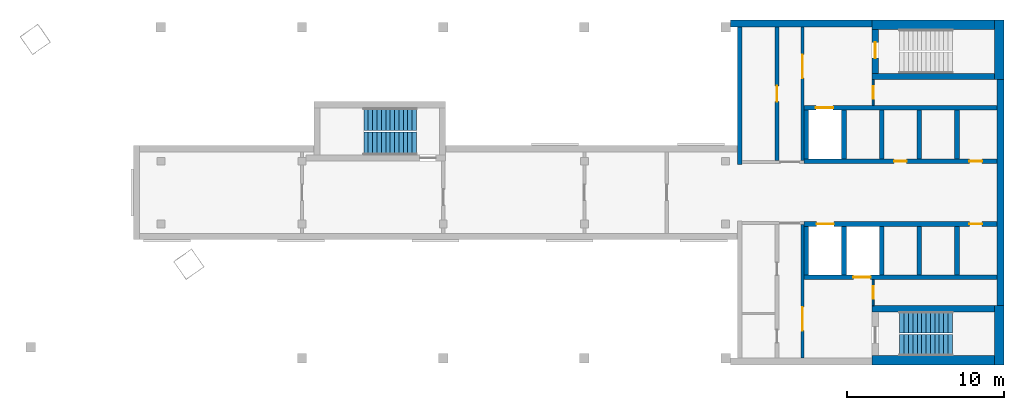
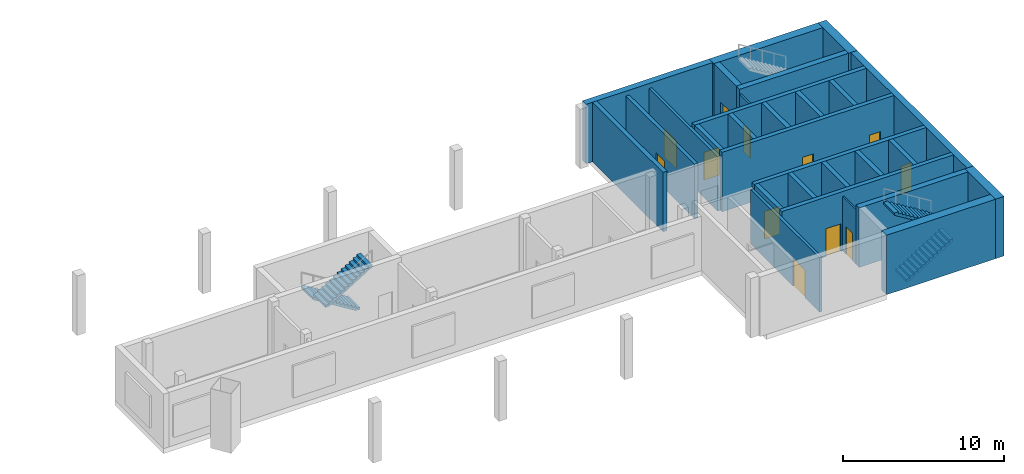
# One storey, part 2 of 4: 29 walls, 12 doors, 4 stair flights, 12 openings, 2 elements without a shape of their own.
"""IFC4 building model written with IfcOpenShell, lengths in metres."""

from ifc_helpers import new_model, si_unit, direction, frame, frame_2d, origin, place, context, subcontext, project, spatial, polyline, rectangle, outline, extrude, material, layer, layer_set, type_object, element, fill, aggregate, save


model = new_model("IFC4")

# Units and contexts
model_context = context("Model", 3, precision=1e-05, world=origin(), true_north=direction((0.0, 1.0)))
body_context = subcontext(model_context, "Body", "Model", "MODEL_VIEW")
ifc_project = project(units=[si_unit("LENGTHUNIT", "METRE"), si_unit("AREAUNIT", "SQUARE_METRE"), si_unit("VOLUMEUNIT", "CUBIC_METRE"), si_unit("PLANEANGLEUNIT", "RADIAN"), si_unit("MASSUNIT", "GRAM", prefix="KILO")], contexts=[model_context])

# Site, building, storey
site_placement = place(None, origin())
site = spatial("IfcSite", under=ifc_project, at=site_placement, CompositionType="ELEMENT")
building_placement = place(site_placement, origin())
building = spatial("IfcBuilding", under=site, at=building_placement, Name="Skarvind Civic Tower", CompositionType="ELEMENT")
storey_placement = place(building_placement, frame((0.0, 0.0, 286.5)))
storey = spatial("IfcBuildingStorey", under=building, at=storey_placement, Name="L68", CompositionType="ELEMENT", Elevation=286.5)

# Wall, opening, door
ifc_material_1 = material(Name="Fire-rated masonry partition", Category="masonry")
ifc_layer_1 = layer(ifc_material_1, 0.199951171875)
ifc_layer_set_1 = layer_set([ifc_layer_1], Name="Core enclosure wall 200")
wall_type_1 = type_object("IfcWallType", Name="Core enclosure wall 200", PredefinedType="PARTITIONING", material=ifc_layer_set_1)
wall_1_placement = place(storey_placement, frame((95.14990234375, 117.449951171875, 0.0), z_axis=(0.0, 0.0, 1.0), x_axis=(0.0, 1.0, 0.0)))
wall_1 = element("IfcWall", 1, at=wall_1_placement, inside=storey, type_object=wall_type_1, Name="Core wall C1", PredefinedType="PARTITIONING", context=body_context, shape_type="SweptSolid", body=[
    extrude(rectangle(XDim=8.5, YDim=0.199951171875, at=frame_2d((4.25, 0.0))), origin(), (0.0, 0.0, 1.0), 4.125),
])
opening_1_placement = place(wall_1_placement, frame((1.75, 0.0, 0.0)))
opening_1 = element("IfcOpeningElement", 2, at=opening_1_placement, cuts=wall_1, Name="Opening D-L68-C1-06", PredefinedType="OPENING", context=body_context, shape_type="SweptSolid", body=[
    extrude(rectangle(XDim=1.5, YDim=2.10009765625, at=frame_2d((0.75, 1.050048828125))), frame((0.0, 0.10986328125, 0.0), z_axis=(0.0, -1.0, 0.0), x_axis=(1.0, 0.0, 0.0)), (0.0, 0.0, 1.0), 0.219970703125),
])
ifc_material_2 = material(Name="Fire-rated steel door", Category="steel")
door_type_1 = type_object("IfcDoorType", Name="Fire door 1500", OperationType="NOTDEFINED", PredefinedType="DOOR", material=ifc_material_2)
door_1_placement = place(opening_1_placement, origin())
door_1 = element("IfcDoor", 3, at=door_1_placement, inside=storey, type_object=door_type_1, Name="Fire door", OperationType="DOUBLE_DOOR_SINGLE_SWING", OverallHeight=2.10009765625, OverallWidth=1.5, PredefinedType="DOOR", context=body_context, shape_type="SweptSolid", body=[
    extrude(rectangle(XDim=1.5, YDim=2.10009765625, at=frame_2d((0.75, 1.050048828125))), frame((0.0, 0.02490234375, 0.0), z_axis=(0.0, -1.0, 0.0), x_axis=(1.0, 0.0, 0.0)), (0.0, 0.0, 1.0), 0.050048828125),
])
fill(opening_1, door_1)

wall_2_placement = place(storey_placement, frame((95.14990234375, 130.050048828125, 0.0), z_axis=(0.0, 0.0, 1.0), x_axis=(0.0, 1.0, 0.0)))
wall_2 = element("IfcWall", 4, at=wall_2_placement, inside=storey, type_object=wall_type_1, Name="Core wall C1", PredefinedType="PARTITIONING", context=body_context, shape_type="SweptSolid", body=[
    extrude(rectangle(XDim=8.5, YDim=0.199951171875, at=frame_2d((4.25, 0.0))), origin(), (0.0, 0.0, 1.0), 4.125),
])
opening_2_placement = place(wall_2_placement, frame((5.25, 0.0, 0.0)))
opening_2 = element("IfcOpeningElement", 5, at=opening_2_placement, cuts=wall_2, Name="Opening D-L68-C1-12", PredefinedType="OPENING", context=body_context, shape_type="SweptSolid", body=[
    extrude(rectangle(XDim=1.5, YDim=2.10009765625, at=frame_2d((0.75, 1.050048828125))), frame((0.0, 0.10986328125, 0.0), z_axis=(0.0, -1.0, 0.0), x_axis=(1.0, 0.0, 0.0)), (0.0, 0.0, 1.0), 0.219970703125),
])
door_2_placement = place(opening_2_placement, origin())
door_2 = element("IfcDoor", 6, at=door_2_placement, inside=storey, type_object=door_type_1, Name="Fire door", OperationType="DOUBLE_DOOR_SINGLE_SWING", OverallHeight=2.10009765625, OverallWidth=1.5, PredefinedType="DOOR", context=body_context, shape_type="SweptSolid", body=[
    extrude(rectangle(XDim=1.5, YDim=2.10009765625, at=frame_2d((0.75, 1.050048828125))), frame((0.0, 0.02490234375, 0.0), z_axis=(0.0, -1.0, 0.0), x_axis=(1.0, 0.0, 0.0)), (0.0, 0.0, 1.0), 0.050048828125),
])
fill(opening_2, door_2)

# Wall, openings, doors
ifc_material_3 = material(Name="Concrete C60", Category="concrete")
ifc_layer_2 = layer(ifc_material_3, 0.300048828125)
ifc_layer_set_2 = layer_set([ifc_layer_2], Name="Core wall 300 C60")
wall_type_2 = type_object("IfcWallType", Name="Core wall 300 C60", PredefinedType="SHEAR", material=ifc_layer_set_2)
wall_3_placement = place(storey_placement, frame((107.550048828125, 130.0, 0.0), z_axis=(0.0, 0.0, 1.0), x_axis=(-1.0, 0.0, 0.0)))
wall_3 = element("IfcWall", 7, at=wall_3_placement, inside=storey, type_object=wall_type_2, Name="Core wall C1 south lift row front L68", PredefinedType="SHEAR", context=body_context, shape_type="SweptSolid", body=[
    extrude(rectangle(XDim=12.300048828125, YDim=0.300048828125, at=frame_2d((6.14990234375, 0.0))), origin(), (0.0, 0.0, 1.0), 4.5),
])
opening_3_placement = place(wall_3_placement, frame((0.949951171875, 0.0, 0.0)))
opening_3 = element("IfcOpeningElement", 8, at=opening_3_placement, cuts=wall_3, Name="Opening D-L68-C1-03", PredefinedType="OPENING", context=body_context, shape_type="SweptSolid", body=[
    extrude(rectangle(XDim=0.800048828125, YDim=2.10009765625, at=frame_2d((0.39990234375, 1.050048828125))), frame((0.0, 0.159912109375, 0.0), z_axis=(0.0, -1.0, 0.0), x_axis=(1.0, 0.0, 0.0)), (0.0, 0.0, 1.0), 0.320068359375),
])
opening_4_placement = place(wall_3_placement, frame((5.75, 0.0, 0.0)))
opening_4 = element("IfcOpeningElement", 9, at=opening_4_placement, cuts=wall_3, Name="Opening D-L68-C1-04", PredefinedType="OPENING", context=body_context, shape_type="SweptSolid", body=[
    extrude(rectangle(XDim=0.800048828125, YDim=2.10009765625, at=frame_2d((0.39990234375, 1.050048828125))), frame((0.0, 0.159912109375, 0.0), z_axis=(0.0, -1.0, 0.0), x_axis=(1.0, 0.0, 0.0)), (0.0, 0.0, 1.0), 0.320068359375),
])
door_type_2 = type_object("IfcDoorType", Name="Core riser door 800", OperationType="NOTDEFINED", PredefinedType="DOOR", material=ifc_material_2)
door_3_placement = place(opening_3_placement, origin())
door_3 = element("IfcDoor", 10, at=door_3_placement, inside=storey, type_object=door_type_2, Name="Riser door", OperationType="SINGLE_SWING_RIGHT", OverallHeight=2.10009765625, OverallWidth=0.800048828125, PredefinedType="DOOR", context=body_context, shape_type="SweptSolid", body=[
    extrude(rectangle(XDim=0.800048828125, YDim=2.10009765625, at=frame_2d((0.39990234375, 1.050048828125))), frame((0.0, 0.02490234375, 0.0), z_axis=(0.0, -1.0, 0.0), x_axis=(1.0, 0.0, 0.0)), (0.0, 0.0, 1.0), 0.050048828125),
])
fill(opening_3, door_3)
door_4_placement = place(opening_4_placement, origin())
door_4 = element("IfcDoor", 11, at=door_4_placement, inside=storey, type_object=door_type_2, Name="Riser door", OperationType="SINGLE_SWING_LEFT", OverallHeight=2.10009765625, OverallWidth=0.800048828125, PredefinedType="DOOR", context=body_context, shape_type="SweptSolid", body=[
    extrude(rectangle(XDim=0.800048828125, YDim=2.10009765625, at=frame_2d((0.39990234375, 1.050048828125))), frame((0.0, 0.02490234375, 0.0), z_axis=(0.0, -1.0, 0.0), x_axis=(1.0, 0.0, 0.0)), (0.0, 0.0, 1.0), 0.050048828125),
])
fill(opening_4, door_4)

# Wall, opening, door
wall_4_placement = place(storey_placement, frame((107.550048828125, 133.39990234375, 0.0), z_axis=(0.0, 0.0, 1.0), x_axis=(-1.0, 0.0, 0.0)))
wall_4 = element("IfcWall", 12, at=wall_4_placement, inside=storey, type_object=wall_type_2, Name="Core wall C1 south lift row back L68", PredefinedType="SHEAR", context=body_context, shape_type="SweptSolid", body=[
    extrude(rectangle(XDim=12.300048828125, YDim=0.300048828125, at=frame_2d((6.14990234375, 0.0))), origin(), (0.0, 0.0, 1.0), 4.5),
])
opening_5_placement = place(wall_4_placement, frame((10.449951171875, 0.0, 0.0)))
opening_5 = element("IfcOpeningElement", 13, at=opening_5_placement, cuts=wall_4, Name="Opening LD70110", PredefinedType="OPENING", context=body_context, shape_type="SweptSolid", body=[
    extrude(rectangle(XDim=1.10009765625, YDim=2.10009765625, at=frame_2d((0.550048828125, 1.050048828125))), frame((0.0, 0.159912109375, 0.0), z_axis=(0.0, -1.0, 0.0), x_axis=(1.0, 0.0, 0.0)), (0.0, 0.0, 1.0), 0.320068359375),
])
ifc_material_4 = material(Name="Stainless steel landing door", Category="steel")
door_type_3 = type_object("IfcDoorType", Name="Lift landing door 1100", OperationType="DOUBLE_DOOR_SLIDING", PredefinedType="DOOR", material=ifc_material_4)
door_5_placement = place(opening_5_placement, origin())
door_5 = element("IfcDoor", 14, at=door_5_placement, inside=storey, type_object=door_type_3, Name="Lift landing door", OperationType="DOUBLE_DOOR_SLIDING", OverallHeight=2.10009765625, OverallWidth=1.10009765625, PredefinedType="DOOR", context=body_context, shape_type="SweptSolid", body=[
    extrude(rectangle(XDim=1.10009765625, YDim=2.10009765625, at=frame_2d((0.550048828125, 1.050048828125))), frame((0.0, 0.02490234375, 0.0), z_axis=(0.0, -1.0, 0.0), x_axis=(1.0, 0.0, 0.0)), (0.0, 0.0, 1.0), 0.050048828125),
])
fill(opening_5, door_5)

# Walls
for number, where, z_axis, x_axis, name in (
    (15, (105.0, 133.25, 0.0), (0.0, 0.0, 1.0), (0.0, -1.0, 0.0), "Core wall C1 south lift row division 1 L68"),
    (16, (102.60009765625, 133.25, 0.0), (0.0, 0.0, 1.0), (0.0, -1.0, 0.0), "Core wall C1 south lift row division 2 L68"),
    (17, (100.199951171875, 133.25, 0.0), (0.0, 0.0, 1.0), (0.0, -1.0, 0.0), "Core wall C1 south lift row division 3 L68"),
    (18, (97.800048828125, 133.25, 0.0), (0.0, 0.0, 1.0), (0.0, -1.0, 0.0), "Core wall C1 south lift row division 4 L68"),
    (19, (95.39990234375, 133.25, 0.0), (0.0, 0.0, 1.0), (0.0, -1.0, 0.0), "Core wall C1 south lift row division 5 L68"),
):
    element("IfcWall", number, at=place(storey_placement, frame(where, z_axis=z_axis, x_axis=x_axis)), inside=storey, type_object=wall_type_2, Name=name, PredefinedType="SHEAR", context=body_context, shape_type="SweptSolid", body=[
        extrude(rectangle(XDim=3.10009765625, YDim=0.300048828125, at=frame_2d((1.550048828125, 0.0))), origin(), (0.0, 0.0, 1.0), 4.5),
    ])

# Wall, openings, doors
wall_5_placement = place(storey_placement, frame((107.550048828125, 126.0, 0.0), z_axis=(0.0, 0.0, 1.0), x_axis=(-1.0, 0.0, 0.0)))
wall_5 = element("IfcWall", 20, at=wall_5_placement, inside=storey, type_object=wall_type_2, Name="Core wall C1 north lift row front L68", PredefinedType="SHEAR", context=body_context, shape_type="SweptSolid", body=[
    extrude(rectangle(XDim=12.300048828125, YDim=0.300048828125, at=frame_2d((6.14990234375, 0.0))), origin(), (0.0, 0.0, 1.0), 4.5),
])
opening_6_placement = place(wall_5_placement, frame((10.39990234375, 0.0, 0.0)))
opening_6 = element("IfcOpeningElement", 21, at=opening_6_placement, cuts=wall_5, Name="Opening LD70105", PredefinedType="OPENING", context=body_context, shape_type="SweptSolid", body=[
    extrude(rectangle(XDim=1.10009765625, YDim=2.10009765625, at=frame_2d((0.550048828125, 1.050048828125))), frame((0.0, 0.159912109375, 0.0), z_axis=(0.0, -1.0, 0.0), x_axis=(1.0, 0.0, 0.0)), (0.0, 0.0, 1.0), 0.320068359375),
])
opening_7_placement = place(wall_5_placement, frame((0.949951171875, 0.0, 0.0)))
opening_7 = element("IfcOpeningElement", 22, at=opening_7_placement, cuts=wall_5, Name="Opening D-L68-C1-02", PredefinedType="OPENING", context=body_context, shape_type="SweptSolid", body=[
    extrude(rectangle(XDim=0.800048828125, YDim=2.10009765625, at=frame_2d((0.39990234375, 1.050048828125))), frame((0.0, 0.159912109375, 0.0), z_axis=(0.0, -1.0, 0.0), x_axis=(1.0, 0.0, 0.0)), (0.0, 0.0, 1.0), 0.320068359375),
])
door_6_placement = place(opening_7_placement, origin())
door_6 = element("IfcDoor", 23, at=door_6_placement, inside=storey, type_object=door_type_2, Name="Riser door", OperationType="SINGLE_SWING_LEFT", OverallHeight=2.10009765625, OverallWidth=0.800048828125, PredefinedType="DOOR", context=body_context, shape_type="SweptSolid", body=[
    extrude(rectangle(XDim=0.800048828125, YDim=2.10009765625, at=frame_2d((0.39990234375, 1.050048828125))), frame((0.0, 0.02490234375, 0.0), z_axis=(0.0, -1.0, 0.0), x_axis=(1.0, 0.0, 0.0)), (0.0, 0.0, 1.0), 0.050048828125),
])
fill(opening_7, door_6)
door_7_placement = place(opening_6_placement, origin())
door_7 = element("IfcDoor", 24, at=door_7_placement, inside=storey, type_object=door_type_3, Name="Lift landing door", OperationType="DOUBLE_DOOR_SLIDING", OverallHeight=2.10009765625, OverallWidth=1.10009765625, PredefinedType="DOOR", context=body_context, shape_type="SweptSolid", body=[
    extrude(rectangle(XDim=1.10009765625, YDim=2.10009765625, at=frame_2d((0.550048828125, 1.050048828125))), frame((0.0, 0.02490234375, 0.0), z_axis=(0.0, -1.0, 0.0), x_axis=(1.0, 0.0, 0.0)), (0.0, 0.0, 1.0), 0.050048828125),
])
fill(opening_6, door_7)

# Wall, opening, door
wall_6_placement = place(storey_placement, frame((107.550048828125, 122.60009765625, 0.0), z_axis=(0.0, 0.0, 1.0), x_axis=(-1.0, 0.0, 0.0)))
wall_6 = element("IfcWall", 25, at=wall_6_placement, inside=storey, type_object=wall_type_2, Name="Core wall C1 north lift row back L68", PredefinedType="SHEAR", context=body_context, shape_type="SweptSolid", body=[
    extrude(rectangle(XDim=12.300048828125, YDim=0.300048828125, at=frame_2d((6.14990234375, 0.0))), origin(), (0.0, 0.0, 1.0), 4.5),
])
opening_8_placement = place(wall_6_placement, frame((8.050048828125, 0.0, 0.0)))
opening_8 = element("IfcOpeningElement", 26, at=opening_8_placement, cuts=wall_6, Name="Opening LD70104", PredefinedType="OPENING", context=body_context, shape_type="SweptSolid", body=[
    extrude(rectangle(XDim=1.10009765625, YDim=2.10009765625, at=frame_2d((0.550048828125, 1.050048828125))), frame((0.0, 0.159912109375, 0.0), z_axis=(0.0, -1.0, 0.0), x_axis=(1.0, 0.0, 0.0)), (0.0, 0.0, 1.0), 0.320068359375),
])
door_8_placement = place(opening_8_placement, origin())
door_8 = element("IfcDoor", 27, at=door_8_placement, inside=storey, type_object=door_type_3, Name="Lift landing door", OperationType="DOUBLE_DOOR_SLIDING", OverallHeight=2.10009765625, OverallWidth=1.10009765625, PredefinedType="DOOR", context=body_context, shape_type="SweptSolid", body=[
    extrude(rectangle(XDim=1.10009765625, YDim=2.10009765625, at=frame_2d((0.550048828125, 1.050048828125))), frame((0.0, 0.02490234375, 0.0), z_axis=(0.0, -1.0, 0.0), x_axis=(1.0, 0.0, 0.0)), (0.0, 0.0, 1.0), 0.050048828125),
])
fill(opening_8, door_8)

# Walls
for number, where, z_axis, x_axis, name in (
    (28, (105.0, 125.85009765625, 0.0), (0.0, 0.0, 1.0), (0.0, -1.0, 0.0), "Core wall C1 north lift row division 1 L68"),
    (29, (102.60009765625, 125.85009765625, 0.0), (0.0, 0.0, 1.0), (0.0, -1.0, 0.0), "Core wall C1 north lift row division 2 L68"),
    (30, (100.199951171875, 125.85009765625, 0.0), (0.0, 0.0, 1.0), (0.0, -1.0, 0.0), "Core wall C1 north lift row division 3 L68"),
    (31, (97.800048828125, 125.85009765625, 0.0), (0.0, 0.0, 1.0), (0.0, -1.0, 0.0), "Core wall C1 north lift row division 4 L68"),
    (32, (95.39990234375, 125.85009765625, 0.0), (0.0, 0.0, 1.0), (0.0, -1.0, 0.0), "Core wall C1 north lift row division 5 L68"),
):
    element("IfcWall", number, at=place(storey_placement, frame(where, z_axis=z_axis, x_axis=x_axis)), inside=storey, type_object=wall_type_2, Name=name, PredefinedType="SHEAR", context=body_context, shape_type="SweptSolid", body=[
        extrude(rectangle(XDim=3.10009765625, YDim=0.300048828125, at=frame_2d((1.550048828125, 0.0))), origin(), (0.0, 0.0, 1.0), 4.5),
    ])
wall_7_placement = place(storey_placement, frame((91.14990234375, 138.550048828125, 0.0), z_axis=(0.0, 0.0, 1.0), x_axis=(0.0, -1.0, 0.0)))
element("IfcWall", 33, at=wall_7_placement, inside=storey, type_object=wall_type_2, Name="Core wall C1 south inner face L68", PredefinedType="SHEAR", context=body_context, shape_type="SweptSolid", body=[
    extrude(rectangle(XDim=8.75, YDim=0.300048828125, at=frame_2d((4.375, 0.0))), origin(), (0.0, 0.0, 1.0), 4.5),
])
ifc_layer_3 = layer(ifc_material_3, 0.39990234375)
ifc_layer_set_3 = layer_set([ifc_layer_3], Name="Core wall 400 C60")
wall_type_3 = type_object("IfcWallType", Name="Core wall 400 C60", PredefinedType="SHEAR", material=ifc_layer_set_3)
wall_8_placement = place(storey_placement, frame((107.39990234375, 135.39990234375, 0.0), z_axis=(0.0, 0.0, 1.0), x_axis=(-1.0, 0.0, 0.0)))
element("IfcWall", 34, at=wall_8_placement, inside=storey, type_object=wall_type_3, Name="Core wall C1 south stair inner L68", PredefinedType="SHEAR", context=body_context, shape_type="SweptSolid", body=[
    extrude(rectangle(XDim=7.7998046875, YDim=0.39990234375, at=frame_2d((3.89990234375, 0.0))), origin(), (0.0, 0.0, 1.0), 4.5),
])

# Wall, opening, door
wall_9_placement = place(storey_placement, frame((99.800048828125, 138.39990234375, 0.0), z_axis=(0.0, 0.0, 1.0), x_axis=(0.0, -1.0, 0.0)))
wall_9 = element("IfcWall", 35, at=wall_9_placement, inside=storey, type_object=wall_type_3, Name="Core wall C1 south stair end L68", PredefinedType="SHEAR", context=body_context, shape_type="SweptSolid", body=[
    extrude(rectangle(XDim=2.7998046875, YDim=0.39990234375, at=frame_2d((1.39990234375, 0.0))), origin(), (0.0, 0.0, 1.0), 4.5),
])
opening_9_placement = place(wall_9_placement, frame((0.824951171875, 0.0, 0.0)))
opening_9 = element("IfcOpeningElement", 36, at=opening_9_placement, cuts=wall_9, Name="Opening D-L68-C1-13", PredefinedType="OPENING", context=body_context, shape_type="SweptSolid", body=[
    extrude(rectangle(XDim=1.0, YDim=2.10009765625, at=frame_2d((0.5, 1.050048828125))), frame((0.0, 0.2099609375, 0.0), z_axis=(0.0, -1.0, 0.0), x_axis=(1.0, 0.0, 0.0)), (0.0, 0.0, 1.0), 0.419921875),
])
door_type_4 = type_object("IfcDoorType", Name="Fire door 1000", OperationType="NOTDEFINED", PredefinedType="DOOR", material=ifc_material_2)
door_9_placement = place(opening_9_placement, origin())
door_9 = element("IfcDoor", 37, at=door_9_placement, inside=storey, type_object=door_type_4, Name="Fire door", OperationType="SINGLE_SWING_RIGHT", OverallHeight=2.10009765625, OverallWidth=1.0, PredefinedType="DOOR", context=body_context, shape_type="SweptSolid", body=[
    extrude(rectangle(XDim=1.0, YDim=2.10009765625, at=frame_2d((0.5, 1.050048828125))), frame((0.0, 0.02490234375, 0.0), z_axis=(0.0, -1.0, 0.0), x_axis=(1.0, 0.0, 0.0)), (0.0, 0.0, 1.0), 0.050048828125),
])
fill(opening_9, door_9)

# Walls
wall_10_placement = place(storey_placement, frame((107.39990234375, 120.60009765625, 0.0), z_axis=(0.0, 0.0, 1.0), x_axis=(-1.0, 0.0, 0.0)))
element("IfcWall", 38, at=wall_10_placement, inside=storey, type_object=wall_type_3, Name="Core wall C1 north stair inner L68", PredefinedType="SHEAR", context=body_context, shape_type="SweptSolid", body=[
    extrude(rectangle(XDim=7.7998046875, YDim=0.39990234375, at=frame_2d((3.89990234375, 0.0))), origin(), (0.0, 0.0, 1.0), 4.5),
])
ifc_layer_4 = layer(ifc_material_3, 0.449951171875)
ifc_layer_set_4 = layer_set([ifc_layer_4], Name="Core wall 450 C60")
wall_type_4 = type_object("IfcWallType", Name="Core wall 450 C60", PredefinedType="SHEAR", material=ifc_layer_set_4)
wall_11_placement = place(storey_placement, frame((107.77490234375, 135.199951171875, 0.0), z_axis=(0.0, 0.0, 1.0), x_axis=(0.0, -1.0, 0.0)))
element("IfcWall", 39, at=wall_11_placement, inside=storey, type_object=wall_type_4, Name="Core wall C1 tip between the stairs L68", PredefinedType="SHEAR", context=body_context, shape_type="SweptSolid", body=[
    extrude(rectangle(XDim=14.39990234375, YDim=0.449951171875, at=frame_2d((7.199951171875, 0.0))), origin(), (0.0, 0.0, 1.0), 4.5),
])
wall_12_placement = place(storey_placement, frame((99.60009765625, 138.77490234375, 0.0), z_axis=(0.0, 0.0, 1.0), x_axis=(-1.0, 0.0, 0.0)))
element("IfcWall", 40, at=wall_12_placement, inside=storey, type_object=wall_type_4, Name="Core wall C1 south side L68", PredefinedType="SHEAR", context=body_context, shape_type="SweptSolid", body=[
    extrude(rectangle(XDim=9.050048828125, YDim=0.449951171875, at=frame_2d((4.52490234375, 0.0))), origin(), (0.0, 0.0, 1.0), 4.5),
])
ifc_layer_5 = layer(ifc_material_3, 0.60009765625)
ifc_layer_set_5 = layer_set([ifc_layer_5], Name="Core wall 600 C60")
wall_type_5 = type_object("IfcWallType", Name="Core wall 600 C60", PredefinedType="SHEAR", material=ifc_layer_set_5)
for number, where, z_axis, x_axis, name in (
    (41, (107.699951171875, 139.0, 0.0), (0.0, 0.0, 1.0), (0.0, -1.0, 0.0), "Core wall C1 tip at the south stair L68"),
    (42, (107.699951171875, 120.800048828125, 0.0), (0.0, 0.0, 1.0), (0.0, -1.0, 0.0), "Core wall C1 tip at the north stair L68"),
):
    element("IfcWall", number, at=place(storey_placement, frame(where, z_axis=z_axis, x_axis=x_axis)), inside=storey, type_object=wall_type_5, Name=name, PredefinedType="SHEAR", context=body_context, shape_type="SweptSolid", body=[
        extrude(rectangle(XDim=3.800048828125, YDim=0.60009765625, at=frame_2d((1.89990234375, 0.0))), origin(), (0.0, 0.0, 1.0), 4.5),
    ])
for number, where, z_axis, x_axis, name in (
    (43, (107.39990234375, 138.699951171875, 0.0), (0.0, 0.0, 1.0), (-1.0, 0.0, 0.0), "Core wall C1 south side at the stair L68"),
    (44, (107.39990234375, 117.300048828125, 0.0), (0.0, 0.0, 1.0), (-1.0, 0.0, 0.0), "Core wall C1 north side at the stair L68"),
):
    element("IfcWall", number, at=place(storey_placement, frame(where, z_axis=z_axis, x_axis=x_axis)), inside=storey, type_object=wall_type_5, Name=name, PredefinedType="SHEAR", context=body_context, shape_type="SweptSolid", body=[
        extrude(rectangle(XDim=7.7998046875, YDim=0.60009765625, at=frame_2d((3.89990234375, 0.0))), origin(), (0.0, 0.0, 1.0), 4.5),
    ])

# Wall, opening, door
ifc_layer_6 = layer(ifc_material_1, 0.125)
ifc_layer_set_6 = layer_set([ifc_layer_6], Name="Riser wall 125")
wall_type_6 = type_object("IfcWallType", Name="Riser wall 125", PredefinedType="PARTITIONING", material=ifc_layer_set_6)
wall_13_placement = place(storey_placement, frame((99.66259765625, 120.800048828125, 0.0), z_axis=(0.0, 0.0, 1.0), x_axis=(0.0, 1.0, 0.0)))
wall_13 = element("IfcWall", 45, at=wall_13_placement, inside=storey, type_object=wall_type_6, Name="Core wall C1", PredefinedType="PARTITIONING", context=body_context, shape_type="SweptSolid", body=[
    extrude(rectangle(XDim=1.64990234375, YDim=0.125, at=frame_2d((0.824951171875, 0.0))), origin(), (0.0, 0.0, 1.0), 4.125),
])
opening_10_placement = place(wall_13_placement, frame((0.425048828125, 0.0, 0.0)))
opening_10 = element("IfcOpeningElement", 46, at=opening_10_placement, cuts=wall_13, Name="Opening D-L68-C1-08", PredefinedType="OPENING", context=body_context, shape_type="SweptSolid", body=[
    extrude(rectangle(XDim=0.800048828125, YDim=2.10009765625, at=frame_2d((0.39990234375, 1.050048828125))), frame((0.0, 0.072509765625, 0.0), z_axis=(0.0, -1.0, 0.0), x_axis=(1.0, 0.0, 0.0)), (0.0, 0.0, 1.0), 0.14501953125),
])
door_10_placement = place(opening_10_placement, origin())
door_10 = element("IfcDoor", 47, at=door_10_placement, inside=storey, type_object=door_type_2, Name="Riser door", OperationType="SINGLE_SWING_RIGHT", OverallHeight=2.10009765625, OverallWidth=0.800048828125, PredefinedType="DOOR", context=body_context, shape_type="SweptSolid", body=[
    extrude(rectangle(XDim=0.800048828125, YDim=2.10009765625, at=frame_2d((0.39990234375, 1.050048828125))), frame((0.0, 0.02490234375, 0.0), z_axis=(0.0, -1.0, 0.0), x_axis=(1.0, 0.0, 0.0)), (0.0, 0.0, 1.0), 0.050048828125),
])
fill(opening_10, door_10)

wall_14_placement = place(storey_placement, frame((99.66259765625, 133.550048828125, 0.0), z_axis=(0.0, 0.0, 1.0), x_axis=(0.0, 1.0, 0.0)))
wall_14 = element("IfcWall", 48, at=wall_14_placement, inside=storey, type_object=wall_type_6, Name="Core wall C1", PredefinedType="PARTITIONING", context=body_context, shape_type="SweptSolid", body=[
    extrude(rectangle(XDim=1.64990234375, YDim=0.125, at=frame_2d((0.824951171875, 0.0))), origin(), (0.0, 0.0, 1.0), 4.125),
])
opening_11_placement = place(wall_14_placement, frame((0.425048828125, 0.0, 0.0)))
opening_11 = element("IfcOpeningElement", 49, at=opening_11_placement, cuts=wall_14, Name="Opening D-L68-C1-14", PredefinedType="OPENING", context=body_context, shape_type="SweptSolid", body=[
    extrude(rectangle(XDim=0.800048828125, YDim=2.10009765625, at=frame_2d((0.39990234375, 1.050048828125))), frame((0.0, 0.072509765625, 0.0), z_axis=(0.0, -1.0, 0.0), x_axis=(1.0, 0.0, 0.0)), (0.0, 0.0, 1.0), 0.14501953125),
])
door_11_placement = place(opening_11_placement, origin())
door_11 = element("IfcDoor", 50, at=door_11_placement, inside=storey, type_object=door_type_2, Name="Riser door", OperationType="SINGLE_SWING_LEFT", OverallHeight=2.10009765625, OverallWidth=0.800048828125, PredefinedType="DOOR", context=body_context, shape_type="SweptSolid", body=[
    extrude(rectangle(XDim=0.800048828125, YDim=2.10009765625, at=frame_2d((0.39990234375, 1.050048828125))), frame((0.0, 0.02490234375, 0.0), z_axis=(0.0, -1.0, 0.0), x_axis=(1.0, 0.0, 0.0)), (0.0, 0.0, 1.0), 0.050048828125),
])
fill(opening_11, door_11)

ifc_layer_7 = layer(ifc_material_1, 0.25)
ifc_layer_set_7 = layer_set([ifc_layer_7], Name="Service block wall 250")
wall_type_7 = type_object("IfcWallType", Name="Service block wall 250", PredefinedType="PARTITIONING", material=ifc_layer_set_7)
wall_15_placement = place(storey_placement, frame((93.52490234375, 130.050048828125, 0.0), z_axis=(0.0, 0.0, 1.0), x_axis=(0.0, 1.0, 0.0)))
wall_15 = element("IfcWall", 51, at=wall_15_placement, inside=storey, type_object=wall_type_7, Name="Core wall C1", PredefinedType="PARTITIONING", context=body_context, shape_type="SweptSolid", body=[
    extrude(rectangle(XDim=8.5, YDim=0.25, at=frame_2d((4.25, 0.0))), origin(), (0.0, 0.0, 1.0), 4.125),
])
opening_12_placement = place(wall_15_placement, frame((3.75, 0.0, 0.0)))
opening_12 = element("IfcOpeningElement", 52, at=opening_12_placement, cuts=wall_15, Name="Opening D-L68-C1-15", PredefinedType="OPENING", context=body_context, shape_type="SweptSolid", body=[
    extrude(rectangle(XDim=1.0, YDim=2.10009765625, at=frame_2d((0.5, 1.050048828125))), frame((0.0, 0.135009765625, 0.0), z_axis=(0.0, -1.0, 0.0), x_axis=(1.0, 0.0, 0.0)), (0.0, 0.0, 1.0), 0.27001953125),
])
door_12_placement = place(opening_12_placement, origin())
door_12 = element("IfcDoor", 53, at=door_12_placement, inside=storey, type_object=door_type_4, Name="Fire door", OperationType="SINGLE_SWING_RIGHT", OverallHeight=2.10009765625, OverallWidth=1.0, PredefinedType="DOOR", context=body_context, shape_type="SweptSolid", body=[
    extrude(rectangle(XDim=1.0, YDim=2.10009765625, at=frame_2d((0.5, 1.050048828125))), frame((0.0, 0.02490234375, 0.0), z_axis=(0.0, -1.0, 0.0), x_axis=(1.0, 0.0, 0.0)), (0.0, 0.0, 1.0), 0.050048828125),
])
fill(opening_12, door_12)

# Stair, stair flights
ifc_material_5 = material(Name="Concrete C40/50", Category="concrete")
stair_type_1 = type_object("IfcStairType", Name="Exit stair 1450, half-turn, concrete", PredefinedType="HALF_TURN_STAIR", material=ifc_material_5)
stair_1_placement = place(storey_placement, origin())
stair_1 = element("IfcStair", 54, at=stair_1_placement, inside=storey, type_object=stair_type_1, Name="Exit stair CM", PredefinedType="HALF_TURN_STAIR")
stair_flight_type_1 = type_object("IfcStairFlightType", Name="Stair flight 1450, concrete", PredefinedType="STRAIGHT", material=ifc_material_5)
stair_flight_1_placement = place(storey_placement, frame((70.550048828125, 132.675048828125, 0.0), z_axis=(0.0, 0.0, 1.0), x_axis=(-1.0, 0.0, 0.0)))
stair_flight_1 = element("IfcStairFlight", 55, at=stair_flight_1_placement, type_object=stair_flight_type_1, Name="ST-CM flight 1", NumberOfRisers=13, NumberOfTreads=12, PredefinedType="STRAIGHT", RiserHeight=0.173076923, TreadLength=0.28, context=body_context, shape_type="SweptSolid", body=[
    extrude(outline(polyline([(0.0, 0.0), (0.0, 0.173095703125), (0.280029296875, 0.173095703125), (0.280029296875, 0.34619140625), (0.56005859375, 0.34619140625), (0.56005859375, 0.519287109375), (0.840087890625, 0.519287109375), (0.840087890625, 0.6923828125), (1.1201171875, 0.6923828125), (1.1201171875, 0.865478515625), (1.39990234375, 0.865478515625), (1.39990234375, 1.03857421875), (1.679931640625, 1.03857421875), (1.679931640625, 1.21142578125), (1.9599609375, 1.21142578125), (1.9599609375, 1.384521484375), (2.239990234375, 1.384521484375), (2.239990234375, 1.5576171875), (2.52001953125, 1.5576171875), (2.52001953125, 1.730712890625), (2.800048828125, 1.730712890625), (2.800048828125, 1.90380859375), (3.080078125, 1.90380859375), (3.080078125, 2.076904296875), (3.360107421875, 2.076904296875), (3.360107421875, 2.25), (3.360107421875, 1.900634765625), (0.28515625, 0.0), (0.0, 0.0)])), frame((0.0, 0.72509765625, 0.0), z_axis=(0.0, -1.0, 0.0), x_axis=(1.0, 0.0, 0.0)), (0.0, 0.0, 1.0), 1.449951171875),
])
stair_flight_2_placement = place(storey_placement, frame((67.18994140625, 131.125, 2.25), z_axis=(0.0, 0.0, 1.0), x_axis=(1.0, 0.0, 0.0)))
stair_flight_2 = element("IfcStairFlight", 56, at=stair_flight_2_placement, type_object=stair_flight_type_1, Name="ST-CM flight 2", NumberOfRisers=13, NumberOfTreads=12, PredefinedType="STRAIGHT", RiserHeight=0.173076923, TreadLength=0.28, context=body_context, shape_type="SweptSolid", body=[
    extrude(outline(polyline([(0.0, 0.0), (0.0, 0.173095703125), (0.280029296875, 0.173095703125), (0.280029296875, 0.34619140625), (0.56005859375, 0.34619140625), (0.56005859375, 0.519287109375), (0.840087890625, 0.519287109375), (0.840087890625, 0.6923828125), (1.1201171875, 0.6923828125), (1.1201171875, 0.865478515625), (1.39990234375, 0.865478515625), (1.39990234375, 1.03857421875), (1.679931640625, 1.03857421875), (1.679931640625, 1.21142578125), (1.9599609375, 1.21142578125), (1.9599609375, 1.384521484375), (2.239990234375, 1.384521484375), (2.239990234375, 1.5576171875), (2.52001953125, 1.5576171875), (2.52001953125, 1.730712890625), (2.800048828125, 1.730712890625), (2.800048828125, 1.90380859375), (3.080078125, 1.90380859375), (3.080078125, 2.076904296875), (3.360107421875, 2.076904296875), (3.360107421875, 2.25), (3.360107421875, 1.900634765625), (0.28515625, 0.0), (0.0, 0.0)])), frame((0.0, 0.72509765625, 0.0), z_axis=(0.0, -1.0, 0.0), x_axis=(1.0, 0.0, 0.0)), (0.0, 0.0, 1.0), 1.449951171875),
])
aggregate(stair_1, [stair_flight_1, stair_flight_2])

stair_type_2 = type_object("IfcStairType", Name="Exit stair, half-turn, concrete", PredefinedType="HALF_TURN_STAIR", material=ifc_material_5)
stair_2_placement = place(storey_placement, origin())
stair_2 = element("IfcStair", 57, at=stair_2_placement, inside=storey, type_object=stair_type_2, Name="Exit stair C1N", PredefinedType="HALF_TURN_STAIR")
stair_flight_type_2 = type_object("IfcStairFlightType", Name="Stair flight, concrete", PredefinedType="STRAIGHT", material=ifc_material_5)
stair_flight_3_placement = place(storey_placement, frame((101.35009765625, 118.27490234375, 0.0), z_axis=(0.0, 0.0, 1.0), x_axis=(1.0, 0.0, 0.0)))
stair_flight_3 = element("IfcStairFlight", 58, at=stair_flight_3_placement, type_object=stair_flight_type_2, Name="ST-C1N flight 1", NumberOfRisers=13, NumberOfTreads=12, PredefinedType="STRAIGHT", RiserHeight=0.173076923, TreadLength=0.28, context=body_context, shape_type="SweptSolid", body=[
    extrude(outline(polyline([(0.0, 0.0), (0.0, 0.173095703125), (0.280029296875, 0.173095703125), (0.280029296875, 0.34619140625), (0.56005859375, 0.34619140625), (0.56005859375, 0.519287109375), (0.840087890625, 0.519287109375), (0.840087890625, 0.6923828125), (1.1201171875, 0.6923828125), (1.1201171875, 0.865478515625), (1.39990234375, 0.865478515625), (1.39990234375, 1.03857421875), (1.679931640625, 1.03857421875), (1.679931640625, 1.21142578125), (1.9599609375, 1.21142578125), (1.9599609375, 1.384521484375), (2.239990234375, 1.384521484375), (2.239990234375, 1.5576171875), (2.52001953125, 1.5576171875), (2.52001953125, 1.730712890625), (2.800048828125, 1.730712890625), (2.800048828125, 1.90380859375), (3.080078125, 1.90380859375), (3.080078125, 2.076904296875), (3.360107421875, 2.076904296875), (3.360107421875, 2.25), (3.360107421875, 1.900634765625), (0.28515625, 0.0), (0.0, 0.0)])), frame((0.0, 0.675048828125, 0.0), z_axis=(0.0, -1.0, 0.0), x_axis=(1.0, 0.0, 0.0)), (0.0, 0.0, 1.0), 1.35009765625),
])
stair_flight_4_placement = place(storey_placement, frame((104.7099609375, 119.72509765625, 2.25), z_axis=(0.0, 0.0, 1.0), x_axis=(-1.0, 0.0, 0.0)))
stair_flight_4 = element("IfcStairFlight", 59, at=stair_flight_4_placement, type_object=stair_flight_type_2, Name="ST-C1N flight 2", NumberOfRisers=13, NumberOfTreads=12, PredefinedType="STRAIGHT", RiserHeight=0.173076923, TreadLength=0.28, context=body_context, shape_type="SweptSolid", body=[
    extrude(outline(polyline([(0.0, 0.0), (0.0, 0.173095703125), (0.280029296875, 0.173095703125), (0.280029296875, 0.34619140625), (0.56005859375, 0.34619140625), (0.56005859375, 0.519287109375), (0.840087890625, 0.519287109375), (0.840087890625, 0.6923828125), (1.1201171875, 0.6923828125), (1.1201171875, 0.865478515625), (1.39990234375, 0.865478515625), (1.39990234375, 1.03857421875), (1.679931640625, 1.03857421875), (1.679931640625, 1.21142578125), (1.9599609375, 1.21142578125), (1.9599609375, 1.384521484375), (2.239990234375, 1.384521484375), (2.239990234375, 1.5576171875), (2.52001953125, 1.5576171875), (2.52001953125, 1.730712890625), (2.800048828125, 1.730712890625), (2.800048828125, 1.90380859375), (3.080078125, 1.90380859375), (3.080078125, 2.076904296875), (3.360107421875, 2.076904296875), (3.360107421875, 2.25), (3.360107421875, 1.900634765625), (0.28515625, 0.0), (0.0, 0.0)])), frame((0.0, 0.675048828125, 0.0), z_axis=(0.0, -1.0, 0.0), x_axis=(1.0, 0.0, 0.0)), (0.0, 0.0, 1.0), 1.35009765625),
])
aggregate(stair_2, [stair_flight_3, stair_flight_4])

save(model, "model.ifc")
